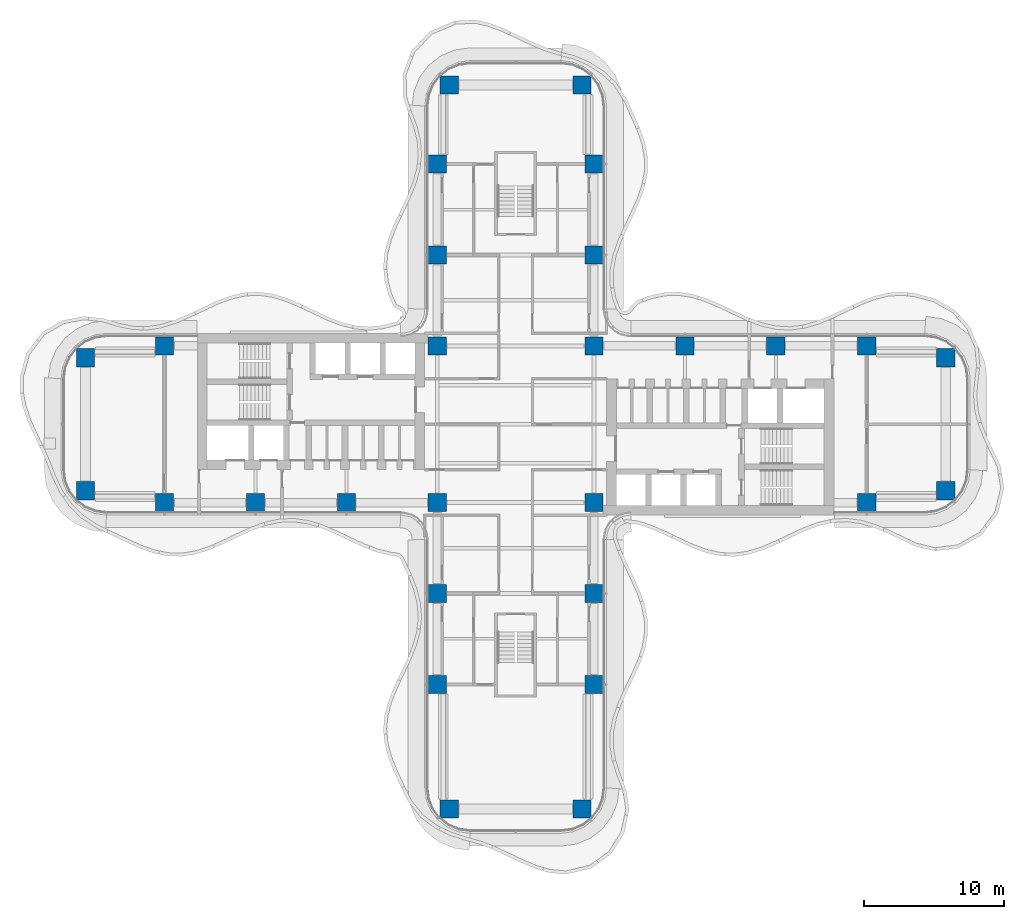
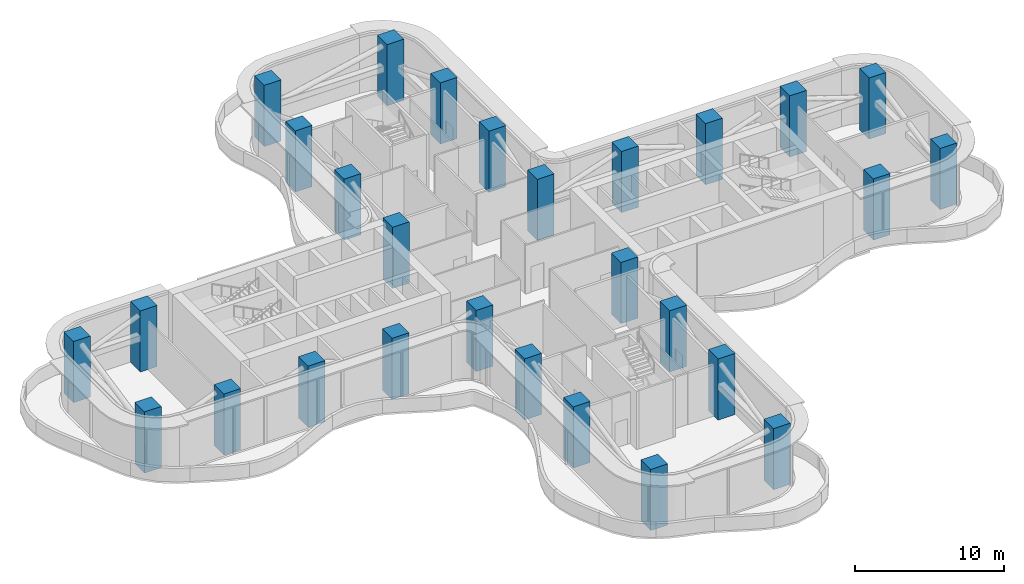
# One storey, part 1 of 20: 28 columns.
"""IFC4 building model written with IfcOpenShell, lengths in metres."""

from ifc_helpers import new_model, si_unit, direction, frame, origin, origin_2d, place, context, subcontext, project, spatial, rectangle, extrude, source, transform, mapped, material, material_profile, profile_set, type_object, element, save


model = new_model("IFC4")

# Units and contexts
model_context = context("Model", 3, precision=1e-05, world=origin(), true_north=direction((0.0, 1.0)))
body_context = subcontext(model_context, "Body", "Model", "MODEL_VIEW")
ifc_project = project(units=[si_unit("LENGTHUNIT", "METRE"), si_unit("AREAUNIT", "SQUARE_METRE"), si_unit("VOLUMEUNIT", "CUBIC_METRE"), si_unit("PLANEANGLEUNIT", "RADIAN"), si_unit("MASSUNIT", "GRAM", prefix="KILO")], contexts=[model_context])

# Site, building, storey
site_placement = place(None, origin())
site = spatial("IfcSite", under=ifc_project, at=site_placement, CompositionType="ELEMENT")
building_placement = place(site_placement, origin())
building = spatial("IfcBuilding", under=site, at=building_placement, Name="Trellis Farm Tower", CompositionType="ELEMENT")
storey_placement = place(building_placement, frame((0.0, 0.0, 92.5)))
storey = spatial("IfcBuildingStorey", under=building, at=storey_placement, Name="L19", CompositionType="ELEMENT", Elevation=92.5)

# Columns
ifc_material = material(Name="Concrete C80/95", Category="concrete")
ifc_material_profile = material_profile(ifc_material, rectangle(XDim=1.300048828125, YDim=1.300048828125, at=origin_2d()), Name="RC column 1300x1300 C80/95")
ifc_profile_set = profile_set([ifc_material_profile], Name="Concrete C80/95")
column_type = type_object("IfcColumnType", Name="RC column 1300x1300 C80/95", PredefinedType="COLUMN", material=ifc_profile_set)
shared_shape = source(origin(), body_context, "Body", "SweptSolid", [
    extrude(rectangle(XDim=1.300048828125, YDim=1.300048828125, at=origin_2d()), origin(), (0.0, 0.0, 1.0), 5.0),
])
for number, where, z_axis, x_axis, name in (
    (1, (12.10009765625, 5.60009765625, 0.0), (0.0, 0.0, 1.0), (1.0, 0.0, 0.0), "Column"),
    (2, (18.60009765625, 5.60009765625, 0.0), (0.0, 0.0, 1.0), (1.0, 0.0, 0.0), "Column"),
    (3, (25.10009765625, 5.60009765625, 0.0), (0.0, 0.0, 1.0), (1.0, 0.0, 0.0), "Column"),
    (4, (30.75, 4.75, 0.0), (0.0, 0.0, 1.0), (1.0, 0.0, 0.0), "Column"),
    (5, (25.10009765625, -5.60009765625, 0.0), (0.0, 0.0, 1.0), (1.0, 0.0, 0.0), "Column"),
    (6, (30.75, -4.75, 0.0), (0.0, 0.0, 1.0), (1.0, 0.0, 0.0), "Column"),
    (7, (-5.60009765625, 12.10009765625, 0.0), (0.0, 0.0, 1.0), (1.0, 0.0, 0.0), "Column"),
    (8, (-5.60009765625, 18.60009765625, 0.0), (0.0, 0.0, 1.0), (1.0, 0.0, 0.0), "Column"),
    (9, (-4.75, 24.25, 0.0), (0.0, 0.0, 1.0), (1.0, 0.0, 0.0), "Column"),
    (10, (5.60009765625, 12.10009765625, 0.0), (0.0, 0.0, 1.0), (1.0, 0.0, 0.0), "Column"),
    (11, (5.60009765625, 18.60009765625, 0.0), (0.0, 0.0, 1.0), (1.0, 0.0, 0.0), "Column"),
    (12, (4.75, 24.25, 0.0), (0.0, 0.0, 1.0), (1.0, 0.0, 0.0), "Column"),
    (13, (5.60009765625, 5.60009765625, 0.0), (0.0, 0.0, 1.0), (1.0, 0.0, 0.0), "Column"),
    (14, (-5.60009765625, 5.60009765625, 0.0), (0.0, 0.0, 1.0), (1.0, 0.0, 0.0), "Column"),
    (15, (5.60009765625, -5.60009765625, 0.0), (0.0, 0.0, 1.0), (1.0, 0.0, 0.0), "Column"),
    (16, (-5.60009765625, -5.60009765625, 0.0), (0.0, 0.0, 1.0), (1.0, 0.0, 0.0), "Column"),
    (17, (5.60009765625, -12.10009765625, 0.0), (0.0, 0.0, 1.0), (1.0, 0.0, 0.0), "Column"),
    (18, (5.60009765625, -18.60009765625, 0.0), (0.0, 0.0, 1.0), (1.0, 0.0, 0.0), "Column"),
    (19, (4.75, -27.5, 0.0), (0.0, 0.0, 1.0), (1.0, 0.0, 0.0), "Column"),
    (20, (-5.60009765625, -12.10009765625, 0.0), (0.0, 0.0, 1.0), (1.0, 0.0, 0.0), "Column"),
    (21, (-5.60009765625, -18.60009765625, 0.0), (0.0, 0.0, 1.0), (1.0, 0.0, 0.0), "Column"),
    (22, (-4.75, -27.5, 0.0), (0.0, 0.0, 1.0), (1.0, 0.0, 0.0), "Column"),
    (23, (-12.10009765625, -5.60009765625, 0.0), (0.0, 0.0, 1.0), (1.0, 0.0, 0.0), "Column"),
    (24, (-18.60009765625, -5.60009765625, 0.0), (0.0, 0.0, 1.0), (1.0, 0.0, 0.0), "Column"),
    (25, (-25.10009765625, -5.60009765625, 0.0), (0.0, 0.0, 1.0), (1.0, 0.0, 0.0), "Column"),
    (26, (-30.75, -4.75, 0.0), (0.0, 0.0, 1.0), (1.0, 0.0, 0.0), "Column"),
    (27, (-25.10009765625, 5.60009765625, 0.0), (0.0, 0.0, 1.0), (1.0, 0.0, 0.0), "Column"),
    (28, (-30.75, 4.75, 0.0), (0.0, 0.0, 1.0), (1.0, 0.0, 0.0), "Column"),
):
    element("IfcColumn", number, at=place(storey_placement, frame(where, z_axis=z_axis, x_axis=x_axis)), inside=storey, type_object=column_type, Name=name, PredefinedType="COLUMN", context=body_context, shape_type="MappedRepresentation", body=[
        mapped(shared_shape, transform((0.0, 0.0, 0.0))),
    ])

save(model, "model.ifc")
